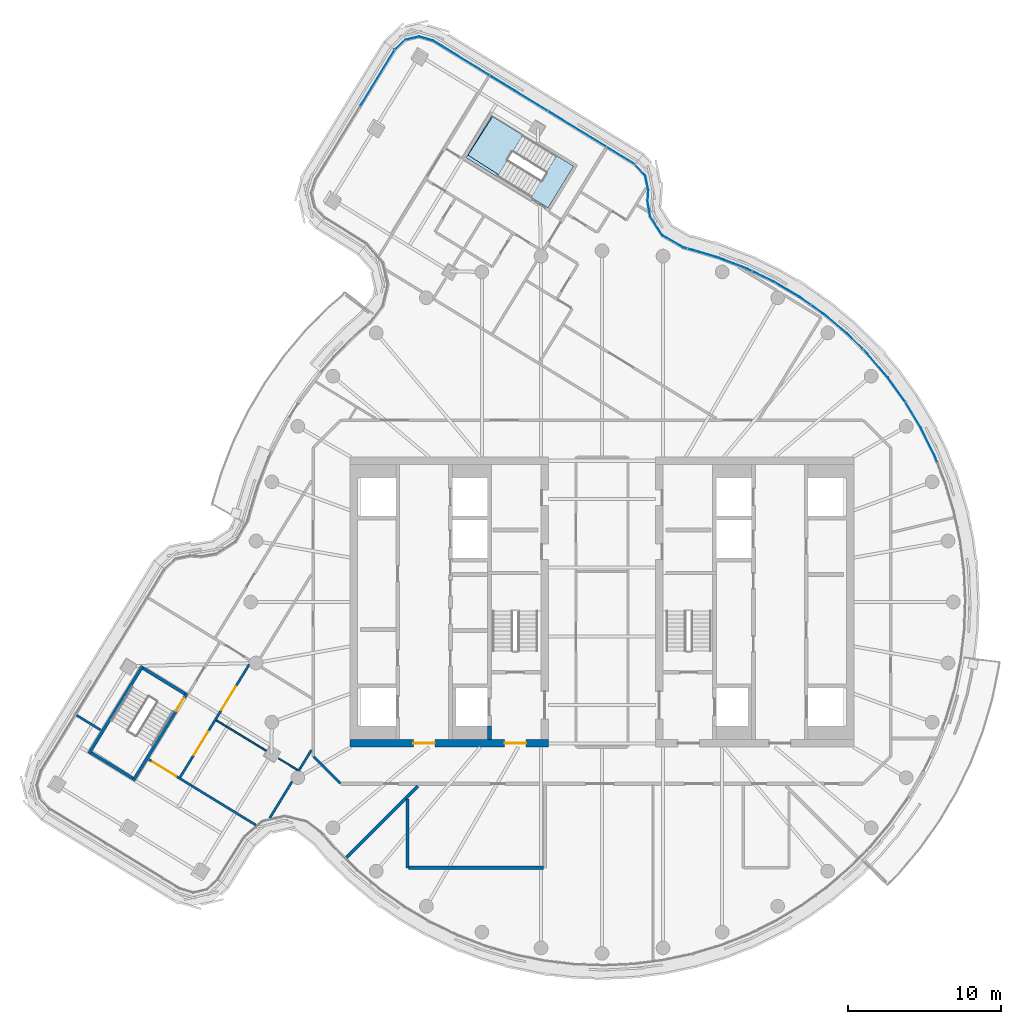
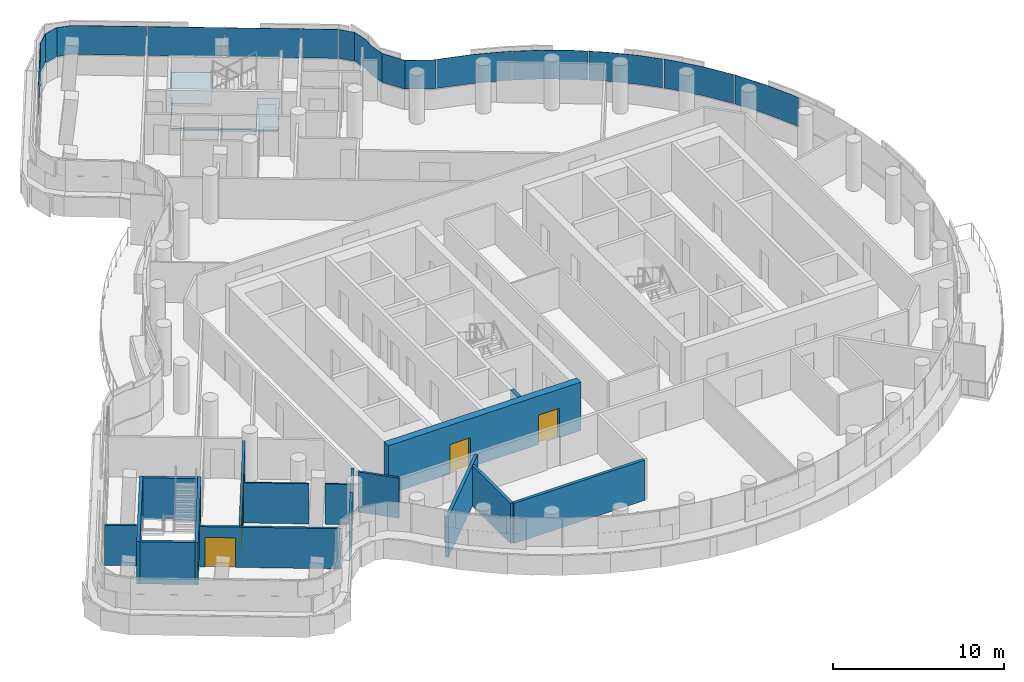
# One storey, part 16 of 27: 17 walls, 11 plates, 6 doors, 2 slabs, 6 openings, 4 elements without a shape of their own.
"""IFC4 building model written with IfcOpenShell, lengths in metres."""

from ifc_helpers import new_model, si_unit, direction, frame, frame_2d, origin, place, context, subcontext, project, spatial, polyline, rectangle, outline, extrude, material, layer, layer_set, type_object, element, fill, aggregate, save


model = new_model("IFC4")

# Units and contexts
model_context = context("Model", 3, precision=1e-05, world=origin(), true_north=direction((0.0, 1.0)))
body_context = subcontext(model_context, "Body", "Model", "MODEL_VIEW")
ifc_project = project(units=[si_unit("LENGTHUNIT", "METRE"), si_unit("AREAUNIT", "SQUARE_METRE"), si_unit("VOLUMEUNIT", "CUBIC_METRE"), si_unit("PLANEANGLEUNIT", "RADIAN"), si_unit("MASSUNIT", "GRAM", prefix="KILO")], contexts=[model_context])

# Site, building, storey
site_placement = place(None, origin())
site = spatial("IfcSite", under=ifc_project, at=site_placement, CompositionType="ELEMENT")
building_placement = place(site_placement, origin())
building = spatial("IfcBuilding", under=site, at=building_placement, Name="Tamarind Cross Interchange Tower", CompositionType="ELEMENT")
storey_placement = place(building_placement, frame((0.0, 0.0, 245.10009765625)))
storey = spatial("IfcBuildingStorey", under=building, at=storey_placement, Name="L62", CompositionType="ELEMENT", Elevation=245.10009765625)

# Slab
ifc_material_1 = material(Name="Concrete C35", Category="concrete")
ifc_layer_1 = layer(ifc_material_1, 0.139892578125)
ifc_layer_set_1 = layer_set([ifc_layer_1], Name="Concrete C35")
slab_type_1 = type_object("IfcSlabType", Name="Composite slab 140 Concrete C35", PredefinedType="FLOOR", material=ifc_layer_set_1)
slab_1_placement = place(storey_placement, frame((0.0, 0.0, -0.14013671875)))
element("IfcSlab", 1, at=slab_1_placement, inside=storey, type_object=slab_type_1, Name="Floor slab L62", PredefinedType="FLOOR", context=body_context, shape_type="SweptSolid", body=[
    extrude(outline(polyline([(-7.23291015625, 31.8251953125), (-8.904296875, 29.0966796875), (-3.5322265625, 25.8056640625), (-1.860595703125, 28.534423828125), (-2.90869140625, 29.176513671875), (-2.9794921875, 29.2197265625), (-4.5908203125, 26.58935546875), (-8.7734375, 29.2578125), (-7.162841796875, 31.782470703125), (-7.23291015625, 31.8251953125)])), origin(), (0.0, 0.0, 1.0), 0.14013671875),
])

# Stair, slab
ifc_material_2 = material(Name="Exit stair")
stair_type = type_object("IfcStairType", Name="Exit stair", PredefinedType="HALF_TURN_STAIR", material=ifc_material_2)
stair_placement = place(storey_placement, origin())
stair = element("IfcStair", 2, at=stair_placement, inside=storey, type_object=stair_type, Name="L62 exit stair ST4", PredefinedType="HALF_TURN_STAIR")
ifc_material_3 = material(Name="Concrete C40", Category="concrete")
ifc_layer_2 = layer(ifc_material_3, 0.199951171875)
ifc_layer_set_2 = layer_set([ifc_layer_2], Name="Concrete C40")
slab_type_2 = type_object("IfcSlabType", Name="Stair landing", PredefinedType="LANDING", material=ifc_layer_set_2)
slab_2_placement = place(storey_placement, frame((0.0, 0.0, 1.599853515625)))
slab_2 = element("IfcSlab", 3, at=slab_2_placement, type_object=slab_type_2, Name="ST4 landing 1", PredefinedType="LANDING", context=body_context, shape_type="SweptSolid", body=[
    extrude(outline(polyline([(-5.176025390625, 30.5654296875), (-7.23291015625, 31.8251953125), (-8.904541015625, 29.0966796875), (-6.84765625, 27.836669921875), (-5.176025390625, 30.5654296875)])), origin(), (0.0, 0.0, 1.0), 0.199951171875),
])
aggregate(stair, [slab_2])

# Curtain wall, plate
ifc_material_4 = material(Name="Aluminium 6063-T6", Category="aluminium")
ifc_layer_3 = layer(ifc_material_4, 0.139892578125)
ifc_layer_set_3 = layer_set([ifc_layer_3], Name="Aluminium 6063-T6")
curtain_wall_type = type_object("IfcCurtainWallType", Name="Hotel curtain wall, 4.5 m bays", PredefinedType="NOTDEFINED", material=ifc_layer_set_3)
curtain_wall_1_placement = place(storey_placement, origin())
curtain_wall_1 = element("IfcCurtainWall", 4, at=curtain_wall_1_placement, inside=storey, type_object=curtain_wall_type, Name="CWS-L62-00", PredefinedType="NOTDEFINED")
ifc_material_5 = material(Name="Laminated low-e glass 6+1.52+6", Category="glass")
ifc_layer_4 = layer(ifc_material_5, 0.02392578125)
ifc_layer_set_4 = layer_set([ifc_layer_4], Name="Laminated low-e glass 6+1.52+6")
plate_type = type_object("IfcPlateType", Name="Vision panel CW2", PredefinedType="CURTAIN_PANEL", material=ifc_layer_set_4)
plate_1_placement = place(storey_placement, frame((0.0, 0.0, 1.39990234375)))
plate_1 = element("IfcPlate", 5, at=plate_1_placement, type_object=plate_type, Name="CWP-L62-00-00", PredefinedType="CURTAIN_PANEL", context=body_context, shape_type="SweptSolid", body=[
    extrude(outline(polyline([(-13.58203125, 36.11767578125), (-15.82080078125, 32.46337890625), (-15.84130859375, 32.475830078125), (-13.6025390625, 36.13037109375), (-13.58203125, 36.11767578125)])), origin(), (0.0, 0.0, 1.0), 2.06005859375),
])
aggregate(curtain_wall_1, [plate_1])

# Curtain wall, plates
curtain_wall_2_placement = place(storey_placement, origin())
curtain_wall_2 = element("IfcCurtainWall", 6, at=curtain_wall_2_placement, inside=storey, type_object=curtain_wall_type, Name="CWS-L62-06", PredefinedType="NOTDEFINED")
plate_2_placement = place(storey_placement, frame((0.0, 0.0, 1.39990234375)))
plate_2 = element("IfcPlate", 7, at=plate_2_placement, type_object=plate_type, Name="CWP-L62-06-16", PredefinedType="CURTAIN_PANEL", context=body_context, shape_type="SweptSolid", body=[
    extrude(outline(polyline([(21.936279296875, 9.14892578125), (21.7392578125, 9.6474609375), (20.868408203125, 11.40966796875), (19.886962890625, 13.04052734375), (19.90771484375, 13.052978515625), (20.889404296875, 11.421142578125), (21.76123046875, 9.6572265625), (21.95849609375, 9.15771484375), (21.936279296875, 9.14892578125)])), origin(), (0.0, 0.0, 1.0), 2.06005859375),
])
plate_3_placement = place(storey_placement, frame((0.0, 0.0, 1.39990234375)))
plate_3 = element("IfcPlate", 8, at=plate_3_placement, type_object=plate_type, Name="CWP-L62-06-17", PredefinedType="CURTAIN_PANEL", context=body_context, shape_type="SweptSolid", body=[
    extrude(outline(polyline([(19.856201171875, 13.091796875), (19.854736328125, 13.093994140625), (18.705810546875, 14.68896484375), (17.4287109375, 16.183349609375), (17.09521484375, 16.51416015625), (17.112060546875, 16.53125), (17.4462890625, 16.19970703125), (18.724609375, 14.703857421875), (19.874755859375, 13.107177734375), (19.876708984375, 13.104248046875), (19.856201171875, 13.091796875)])), origin(), (0.0, 0.0, 1.0), 2.06005859375),
])
plate_4_placement = place(storey_placement, frame((0.0, 0.0, 1.39990234375)))
plate_4 = element("IfcPlate", 9, at=plate_4_placement, type_object=plate_type, Name="CWP-L62-06-18", PredefinedType="CURTAIN_PANEL", context=body_context, shape_type="SweptSolid", body=[
    extrude(outline(polyline([(17.052734375, 16.556396484375), (16.032958984375, 17.5673828125), (14.52734375, 18.83154296875), (13.708251953125, 19.410888671875), (13.72216796875, 19.4306640625), (14.5419921875, 18.850341796875), (16.049072265625, 17.585205078125), (17.069580078125, 16.573486328125), (17.052734375, 16.556396484375)])), origin(), (0.0, 0.0, 1.0), 2.06005859375),
])
plate_5_placement = place(storey_placement, frame((0.0, 0.0, 1.39990234375)))
plate_5 = element("IfcPlate", 10, at=plate_5_placement, type_object=plate_type, Name="CWP-L62-06-19", PredefinedType="CURTAIN_PANEL", context=body_context, shape_type="SweptSolid", body=[
    extrude(outline(polyline([(13.6591796875, 19.445556640625), (12.922607421875, 19.966796875), (11.229736328125, 20.9658203125), (9.845947265625, 21.634765625), (9.856201171875, 21.656494140625), (11.240966796875, 20.98681640625), (12.935791015625, 19.987060546875), (13.673095703125, 19.46533203125), (13.6591796875, 19.445556640625)])), origin(), (0.0, 0.0, 1.0), 2.06005859375),
])
plate_6_placement = place(storey_placement, frame((0.0, 0.0, 1.39990234375)))
plate_6 = element("IfcPlate", 11, at=plate_6_placement, type_object=plate_type, Name="CWP-L62-06-20", PredefinedType="CURTAIN_PANEL", context=body_context, shape_type="SweptSolid", body=[
    extrude(outline(polyline([(9.791748046875, 21.660888671875), (9.4599609375, 21.821533203125), (7.625244140625, 22.5283203125), (5.932373046875, 23.0322265625), (5.618896484375, 23.11865234375), (5.625244140625, 23.1416015625), (5.93896484375, 23.055419921875), (7.633056640625, 22.551025390625), (9.469482421875, 21.843505859375), (9.80224609375, 21.6826171875), (9.791748046875, 21.660888671875)])), origin(), (0.0, 0.0, 1.0), 2.06005859375),
])
plate_7_placement = place(storey_placement, frame((0.0, 0.0, 1.39990234375)))
plate_7 = element("IfcPlate", 12, at=plate_7_placement, type_object=plate_type, Name="CWP-L62-06-21", PredefinedType="CURTAIN_PANEL", context=body_context, shape_type="SweptSolid", body=[
    extrude(outline(polyline([(5.56103515625, 23.134521484375), (5.333740234375, 23.197021484375), (3.945556640625, 23.989501953125), (3.142578125, 25.25), (2.973876953125, 26.244873046875), (3.02392578125, 26.9462890625), (2.8251953125, 27.91650390625), (2.1708984375, 28.62158203125), (2.1884765625, 28.637939453125), (2.847412109375, 27.927734375), (3.048095703125, 26.94775390625), (2.998046875, 26.24609375), (3.16552734375, 25.2587890625), (3.962646484375, 24.007568359375), (5.343017578125, 23.219482421875), (5.5673828125, 23.15771484375), (5.56103515625, 23.134521484375)])), origin(), (0.0, 0.0, 1.0), 2.06005859375),
])
aggregate(curtain_wall_2, [plate_2, plate_3, plate_4, plate_5, plate_6, plate_7])

curtain_wall_3_placement = place(storey_placement, origin())
curtain_wall_3 = element("IfcCurtainWall", 13, at=curtain_wall_3_placement, inside=storey, type_object=curtain_wall_type, Name="CWS-L62-07", PredefinedType="NOTDEFINED")
plate_8_placement = place(storey_placement, frame((0.0, 0.0, 1.39990234375)))
plate_8 = element("IfcPlate", 14, at=plate_8_placement, type_object=plate_type, Name="CWP-L62-07-00", PredefinedType="CURTAIN_PANEL", context=body_context, shape_type="SweptSolid", body=[
    extrude(outline(polyline([(2.12744140625, 28.6572265625), (0.31396484375, 29.76806640625), (0.32666015625, 29.78857421875), (2.139892578125, 28.677490234375), (2.12744140625, 28.6572265625)])), origin(), (0.0, 0.0, 1.0), 2.06005859375),
])
plate_9_placement = place(storey_placement, frame((0.0, 0.0, 1.39990234375)))
plate_9 = element("IfcPlate", 15, at=plate_9_placement, type_object=plate_type, Name="CWP-L62-07-01", PredefinedType="CURTAIN_PANEL", context=body_context, shape_type="SweptSolid", body=[
    extrude(outline(polyline([(0.262939453125, 29.79931640625), (-3.509765625, 32.110595703125), (-3.497314453125, 32.130859375), (0.275390625, 29.81982421875), (0.262939453125, 29.79931640625)])), origin(), (0.0, 0.0, 1.0), 2.06005859375),
])
plate_10_placement = place(storey_placement, frame((0.0, 0.0, 1.39990234375)))
plate_10 = element("IfcPlate", 16, at=plate_10_placement, type_object=plate_type, Name="CWP-L62-07-02", PredefinedType="CURTAIN_PANEL", context=body_context, shape_type="SweptSolid", body=[
    extrude(outline(polyline([(-3.56103515625, 32.141845703125), (-7.333740234375, 34.453125), (-7.3212890625, 34.473388671875), (-3.54833984375, 32.162353515625), (-3.56103515625, 32.141845703125)])), origin(), (0.0, 0.0, 1.0), 2.06005859375),
])
plate_11_placement = place(storey_placement, frame((0.0, 0.0, 1.39990234375)))
plate_11 = element("IfcPlate", 17, at=plate_11_placement, type_object=plate_type, Name="CWP-L62-07-03", PredefinedType="CURTAIN_PANEL", context=body_context, shape_type="SweptSolid", body=[
    extrude(outline(polyline([(-7.385009765625, 34.484375), (-11.0703125, 36.741943359375), (-11.981689453125, 37.01171875), (-12.8779296875, 36.79638671875), (-13.546630859375, 36.16162109375), (-13.563232421875, 36.178955078125), (-12.8896484375, 36.818359375), (-11.98095703125, 37.03662109375), (-11.060302734375, 36.763916015625), (-7.372314453125, 34.5048828125), (-7.385009765625, 34.484375)])), origin(), (0.0, 0.0, 1.0), 2.06005859375),
])
aggregate(curtain_wall_3, [plate_8, plate_9, plate_10, plate_11])

# Wall, openings, doors
ifc_material_6 = material(Name="Concrete C50", Category="concrete")
ifc_layer_5 = layer(ifc_material_6, 0.5)
ifc_layer_set_5 = layer_set([ifc_layer_5], Name="Concrete C50")
wall_type_1 = type_object("IfcWallType", Name="Core wall 500 mm Concrete C50", PredefinedType="SHEAR", material=ifc_layer_set_5)
wall_1_placement = place(storey_placement, frame((-16.5, -9.25, 0.0), z_axis=(0.0, 0.0, 1.0), x_axis=(1.0, 0.0, 0.0)))
wall_1 = element("IfcWall", 18, at=wall_1_placement, inside=storey, type_object=wall_type_1, Name="Core wall CWL-L62-W-S", PredefinedType="SHEAR", context=body_context, shape_type="SweptSolid", body=[
    extrude(rectangle(XDim=13.0, YDim=0.5, at=frame_2d((6.5, 0.0))), origin(), (0.0, 0.0, 1.0), 3.4599609375),
])
opening_1_placement = place(wall_1_placement, frame((4.14990234375, 0.0, 0.0)))
opening_1 = element("IfcOpeningElement", 19, at=opening_1_placement, cuts=wall_1, Name="Opening DCW1", PredefinedType="OPENING", context=body_context, shape_type="SweptSolid", body=[
    extrude(rectangle(XDim=1.39990234375, YDim=2.10009765625, at=frame_2d((0.699951171875, 1.050048828125))), frame((0.0, 0.260009765625, 0.0), z_axis=(0.0, -1.0, 0.0), x_axis=(1.0, 0.0, 0.0)), (0.0, 0.0, 1.0), 0.52001953125),
])
opening_2_placement = place(wall_1_placement, frame((10.125, 0.0, 0.0)))
opening_2 = element("IfcOpeningElement", 20, at=opening_2_placement, cuts=wall_1, Name="Opening DCWF", PredefinedType="OPENING", context=body_context, shape_type="SweptSolid", body=[
    extrude(rectangle(XDim=1.39990234375, YDim=2.10009765625, at=frame_2d((0.699951171875, 1.050048828125))), frame((0.0, 0.260009765625, 0.0), z_axis=(0.0, -1.0, 0.0), x_axis=(1.0, 0.0, 0.0)), (0.0, 0.0, 1.0), 0.52001953125),
])
ifc_material_7 = material(Name="Steel, fire-resisting", Category="steel")
door_type_1 = type_object("IfcDoorType", Name="Core fire door 1400 x 2100 FD90", OperationType="SINGLE_SWING_LEFT", PredefinedType="DOOR", material=ifc_material_7)
door_1_placement = place(opening_1_placement, origin())
door_1 = element("IfcDoor", 21, at=door_1_placement, inside=storey, type_object=door_type_1, Name="L62 lift lobby door", OperationType="SINGLE_SWING_LEFT", OverallHeight=2.10009765625, OverallWidth=1.39990234375, PredefinedType="DOOR", context=body_context, shape_type="SweptSolid", body=[
    extrude(rectangle(XDim=1.39990234375, YDim=2.10009765625, at=frame_2d((0.699951171875, 1.050048828125))), frame((0.0, 0.02490234375, 0.0), z_axis=(0.0, -1.0, 0.0), x_axis=(1.0, 0.0, 0.0)), (0.0, 0.0, 1.0), 0.050048828125),
])
fill(opening_1, door_1)
door_2_placement = place(opening_2_placement, origin())
door_2 = element("IfcDoor", 22, at=door_2_placement, inside=storey, type_object=door_type_1, Name="L62 firefighting lobby end door", OperationType="SINGLE_SWING_LEFT", OverallHeight=2.10009765625, OverallWidth=1.39990234375, PredefinedType="DOOR", context=body_context, shape_type="SweptSolid", body=[
    extrude(rectangle(XDim=1.39990234375, YDim=2.10009765625, at=frame_2d((0.699951171875, 1.050048828125))), frame((0.0, 0.02490234375, 0.0), z_axis=(0.0, -1.0, 0.0), x_axis=(1.0, 0.0, 0.0)), (0.0, 0.0, 1.0), 0.050048828125),
])
fill(opening_2, door_2)

# Walls
ifc_layer_6 = layer(ifc_material_6, 0.25)
ifc_layer_set_6 = layer_set([ifc_layer_6], Name="Concrete C50")
wall_type_2 = type_object("IfcWallType", Name="Core web wall 250 mm Concrete C50", PredefinedType="SHEAR", material=ifc_layer_set_6)
wall_2_placement = place(storey_placement, frame((-7.375, -9.0, 0.0), z_axis=(0.0, 0.0, 1.0), x_axis=(0.0, 1.0, 0.0)))
element("IfcWall", 23, at=wall_2_placement, inside=storey, type_object=wall_type_2, Name="Core wall CWL-L62-W-BW", PredefinedType="SHEAR", context=body_context, shape_type="SweptSolid", body=[
    extrude(rectangle(XDim=0.875, YDim=0.25, at=frame_2d((0.4375, 0.0))), origin(), (0.0, 0.0, 1.0), 3.4599609375),
])
ifc_material_8 = material(Name="Gypsum board partition on steel studs", Category="steel")
ifc_layer_7 = layer(ifc_material_8, 0.10009765625)
ifc_layer_set_7 = layer_set([ifc_layer_7], Name="Gypsum board partition on steel studs")
wall_type_3 = type_object("IfcWallType", Name="Partition 100 mm EI 90", PredefinedType="PARTITIONING", material=ifc_layer_set_7)
wall_3_placement = place(storey_placement, frame((-25.248046875, -7.7431640625, 0.0), z_axis=(0.0, 0.0, 1.0), x_axis=(0.852641647662, -0.522496144169, 0.0)))
element("IfcWall", 24, at=wall_3_placement, inside=storey, type_object=wall_type_3, Name="Partition L62-016", PredefinedType="PARTITIONING", context=body_context, shape_type="SweptSolid", body=[
    extrude(rectangle(XDim=3.82177734375, YDim=0.10009765625, at=frame_2d((1.910888671875, 0.0))), origin(), (0.0, 0.0, 1.0), 2.864013671875),
])
wall_4_placement = place(storey_placement, frame((-21.177001953125, -10.23779296875, 0.0), z_axis=(0.0, 0.0, 1.0), x_axis=(0.852622654042, -0.522527137874, 0.0)))
element("IfcWall", 25, at=wall_4_placement, inside=storey, type_object=wall_type_3, Name="Partition L62-017", PredefinedType="PARTITIONING", context=body_context, shape_type="SweptSolid", body=[
    extrude(rectangle(XDim=1.4755859375, YDim=0.10009765625, at=frame_2d((0.73779296875, 0.0))), origin(), (0.0, 0.0, 1.0), 2.864013671875),
])
ifc_layer_8 = layer(ifc_material_8, 0.14990234375)
ifc_layer_set_8 = layer_set([ifc_layer_8], Name="Gypsum board partition on steel studs")
wall_type_4 = type_object("IfcWallType", Name="Partition 150 mm EI 120", PredefinedType="PARTITIONING", material=ifc_layer_set_8)
wall_5_placement = place(storey_placement, frame((-18.87158203125, -10.12841796875, 0.0), z_axis=(0.0, 0.0, 1.0), x_axis=(0.707106781187, -0.707106781187, 0.0)))
element("IfcWall", 26, at=wall_5_placement, inside=storey, type_object=wall_type_4, Name="Partition L62-001", PredefinedType="PARTITIONING", context=body_context, shape_type="SweptSolid", body=[
    extrude(rectangle(XDim=2.455078125, YDim=0.14990234375, at=frame_2d((1.2275390625, 0.0))), origin(), (0.0, 0.0, 1.0), 2.864013671875),
])
wall_6_placement = place(storey_placement, frame((-34.398681640625, -7.415771484375, 0.0), z_axis=(0.0, 0.0, 1.0), x_axis=(0.852752221209, -0.522315660519, 0.0)))
element("IfcWall", 27, at=wall_6_placement, inside=storey, type_object=wall_type_4, Name="Partition L62-014", PredefinedType="PARTITIONING", context=body_context, shape_type="SweptSolid", body=[
    extrude(rectangle(XDim=1.85888671875, YDim=0.14990234375, at=frame_2d((0.929443359375, 0.0))), origin(), (0.0, 0.0, 1.0), 2.864013671875),
])

# Wall, opening, door
wall_7_placement = place(storey_placement, frame((-29.675537109375, -10.30859375, 0.0), z_axis=(0.0, 0.0, 1.0), x_axis=(0.852748796972, -0.522321251016, 0.0)))
wall_7 = element("IfcWall", 28, at=wall_7_placement, inside=storey, type_object=wall_type_4, Name="Partition L62-015", PredefinedType="PARTITIONING", context=body_context, shape_type="SweptSolid", body=[
    extrude(rectangle(XDim=8.2265625, YDim=0.14990234375, at=frame_2d((4.11328125, 0.0))), origin(), (0.0, 0.0, 1.0), 2.864013671875),
])
opening_3_placement = place(wall_7_placement, frame((0.300048828125, 0.0, 0.0)))
opening_3 = element("IfcOpeningElement", 29, at=opening_3_placement, cuts=wall_7, Name="Opening D07", PredefinedType="OPENING", context=body_context, shape_type="SweptSolid", body=[
    extrude(rectangle(XDim=1.800048828125, YDim=2.10009765625, at=frame_2d((0.89990234375, 1.050048828125))), frame((0.0, 0.0849609375, 0.0), z_axis=(0.0, -1.0, 0.0), x_axis=(1.0, 0.0, 0.0)), (0.0, 0.0, 1.0), 0.169921875),
])
ifc_material_9 = material(Name="Fire-resisting door set")
door_type_2 = type_object("IfcDoorType", Name="Interior door 1800 x 2100 FD60S", OperationType="DOUBLE_DOOR_SINGLE_SWING", PredefinedType="DOOR", material=ifc_material_9)
door_3_placement = place(opening_3_placement, frame((1.800048828125, 0.0, 0.0), z_axis=(0.0, 0.0, 1.0), x_axis=(-1.0, 0.0, 0.0)))
door_3 = element("IfcDoor", 30, at=door_3_placement, inside=storey, type_object=door_type_2, Name="Door D07", OperationType="DOUBLE_DOOR_SINGLE_SWING", OverallHeight=2.10009765625, OverallWidth=1.800048828125, PredefinedType="DOOR", context=body_context, shape_type="SweptSolid", body=[
    extrude(rectangle(XDim=1.800048828125, YDim=2.10009765625, at=frame_2d((0.89990234375, 1.050048828125))), frame((0.0, 0.02490234375, 0.0), z_axis=(0.0, -1.0, 0.0), x_axis=(1.0, 0.0, 0.0)), (0.0, 0.0, 1.0), 0.050048828125),
])
fill(opening_3, door_3)

# Walls
wall_8_placement = place(storey_placement, frame((-21.7578125, -14.152587890625, 0.0), z_axis=(0.0, 0.0, 1.0), x_axis=(0.522549830929, 0.852608746258, 0.0)))
element("IfcWall", 31, at=wall_8_placement, inside=storey, type_object=wall_type_4, Name="Partition L62-037", PredefinedType="PARTITIONING", context=body_context, shape_type="SweptSolid", body=[
    extrude(rectangle(XDim=2.809326171875, YDim=0.14990234375, at=frame_2d((1.40478515625, 0.0))), origin(), (0.0, 0.0, 1.0), 2.864013671875),
])
wall_9_placement = place(storey_placement, frame((-19.85986328125, -11.055908203125, 0.0), z_axis=(0.0, 0.0, 1.0), x_axis=(0.522579863892, 0.852590338823, 0.0)))
element("IfcWall", 32, at=wall_9_placement, inside=storey, type_object=wall_type_4, Name="Partition L62-038", PredefinedType="PARTITIONING", context=body_context, shape_type="SweptSolid", body=[
    extrude(rectangle(XDim=1.607666015625, YDim=0.14990234375, at=frame_2d((0.8037109375, 0.0))), origin(), (0.0, 0.0, 1.0), 2.864013671875),
])

# Wall, openings, doors
wall_10_placement = place(storey_placement, frame((-27.62109375, -11.473876953125, 0.0), z_axis=(0.0, 0.0, 1.0), x_axis=(0.522331772483, 0.852742352329, 0.0)))
wall_10 = element("IfcWall", 33, at=wall_10_placement, inside=storey, type_object=wall_type_4, Name="Partition L62-051", PredefinedType="PARTITIONING", context=body_context, shape_type="SweptSolid", body=[
    extrude(rectangle(XDim=8.677001953125, YDim=0.14990234375, at=frame_2d((4.33837890625, 0.0))), origin(), (0.0, 0.0, 1.0), 2.864013671875),
])
opening_4_placement = place(wall_10_placement, frame((5.1708984375, 0.0, 0.0)))
opening_4 = element("IfcOpeningElement", 34, at=opening_4_placement, cuts=wall_10, Name="Opening D24", PredefinedType="OPENING", context=body_context, shape_type="SweptSolid", body=[
    extrude(rectangle(XDim=1.800048828125, YDim=2.10009765625, at=frame_2d((0.89990234375, 1.050048828125))), frame((0.0, 0.0849609375, 0.0), z_axis=(0.0, -1.0, 0.0), x_axis=(1.0, 0.0, 0.0)), (0.0, 0.0, 1.0), 0.169921875),
])
opening_5_placement = place(wall_10_placement, frame((1.719970703125, 0.0, 0.0)))
opening_5 = element("IfcOpeningElement", 35, at=opening_5_placement, cuts=wall_10, Name="Opening D25", PredefinedType="OPENING", context=body_context, shape_type="SweptSolid", body=[
    extrude(rectangle(XDim=1.800048828125, YDim=2.10009765625, at=frame_2d((0.89990234375, 1.050048828125))), frame((0.0, 0.0849609375, 0.0), z_axis=(0.0, -1.0, 0.0), x_axis=(1.0, 0.0, 0.0)), (0.0, 0.0, 1.0), 0.169921875),
])
door_4_placement = place(opening_4_placement, frame((1.800048828125, 0.0, 0.0), z_axis=(0.0, 0.0, 1.0), x_axis=(-1.0, 0.0, 0.0)))
door_4 = element("IfcDoor", 36, at=door_4_placement, inside=storey, type_object=door_type_2, Name="Door D24", OperationType="DOUBLE_DOOR_SINGLE_SWING", OverallHeight=2.10009765625, OverallWidth=1.800048828125, PredefinedType="DOOR", context=body_context, shape_type="SweptSolid", body=[
    extrude(rectangle(XDim=1.800048828125, YDim=2.10009765625, at=frame_2d((0.89990234375, 1.050048828125))), frame((0.0, 0.02490234375, 0.0), z_axis=(0.0, -1.0, 0.0), x_axis=(1.0, 0.0, 0.0)), (0.0, 0.0, 1.0), 0.050048828125),
])
fill(opening_4, door_4)
door_5_placement = place(opening_5_placement, frame((1.800048828125, 0.0, 0.0), z_axis=(0.0, 0.0, 1.0), x_axis=(-1.0, 0.0, 0.0)))
door_5 = element("IfcDoor", 37, at=door_5_placement, inside=storey, type_object=door_type_2, Name="Door D25", OperationType="DOUBLE_DOOR_SINGLE_SWING", OverallHeight=2.10009765625, OverallWidth=1.800048828125, PredefinedType="DOOR", context=body_context, shape_type="SweptSolid", body=[
    extrude(rectangle(XDim=1.800048828125, YDim=2.10009765625, at=frame_2d((0.89990234375, 1.050048828125))), frame((0.0, 0.02490234375, 0.0), z_axis=(0.0, -1.0, 0.0), x_axis=(1.0, 0.0, 0.0)), (0.0, 0.0, 1.0), 0.050048828125),
])
fill(opening_5, door_5)

# Walls
ifc_layer_9 = layer(ifc_material_8, 0.199951171875)
ifc_layer_set_9 = layer_set([ifc_layer_9], Name="Gypsum board partition on steel studs")
wall_type_5 = type_object("IfcWallType", Name="Partition 200 mm EI 180", PredefinedType="PARTITIONING", material=ifc_layer_set_9)
wall_11_placement = place(storey_placement, frame((-12.660888671875, -17.39990234375, 0.0), z_axis=(0.0, 0.0, 1.0), x_axis=(1.0, 0.0, 0.0)))
element("IfcWall", 38, at=wall_11_placement, inside=storey, type_object=wall_type_5, Name="Partition L62-027", PredefinedType="PARTITIONING", context=body_context, shape_type="SweptSolid", body=[
    extrude(rectangle(XDim=8.8349609375, YDim=0.199951171875, at=frame_2d((4.41748046875, 0.0))), origin(), (0.0, 0.0, 1.0), 2.864013671875),
])
wall_12_placement = place(storey_placement, frame((-16.740478515625, -16.740478515625, 0.0), z_axis=(0.0, 0.0, 1.0), x_axis=(0.707106781187, 0.707106781187, 0.0)))
element("IfcWall", 39, at=wall_12_placement, inside=storey, type_object=wall_type_5, Name="Partition L62-035", PredefinedType="PARTITIONING", context=body_context, shape_type="SweptSolid", body=[
    extrude(rectangle(XDim=6.630615234375, YDim=0.199951171875, at=frame_2d((3.3154296875, 0.0))), origin(), (0.0, 0.0, 1.0), 2.864013671875),
])
wall_13_placement = place(storey_placement, frame((-12.740966796875, -17.39990234375, 0.0), z_axis=(0.0, 0.0, 1.0), x_axis=(0.0, 1.0, 0.0)))
element("IfcWall", 40, at=wall_13_placement, inside=storey, type_object=wall_type_5, Name="Partition L62-057", PredefinedType="PARTITIONING", context=body_context, shape_type="SweptSolid", body=[
    extrude(rectangle(XDim=4.4990234375, YDim=0.199951171875, at=frame_2d((2.24951171875, 0.0))), origin(), (0.0, 0.0, 1.0), 2.864013671875),
])

# Wall, opening, door
ifc_layer_10 = layer(ifc_material_3, 0.199951171875)
ifc_layer_set_10 = layer_set([ifc_layer_10], Name="Concrete C40")
wall_type_6 = type_object("IfcWallType", Name="Stair shaft wall 200 mm Concrete C40", PredefinedType="SHEAR", material=ifc_layer_set_10)
wall_14_placement = place(storey_placement, frame((-27.18310546875, -5.97216796875, -0.14013671875), z_axis=(0.0, 0.0, 1.0), x_axis=(-0.522362094183, -0.852723778583, 0.0)))
wall_14 = element("IfcWall", 41, at=wall_14_placement, inside=storey, type_object=wall_type_6, Name="Core wall CWL-L62-ST5-H", PredefinedType="SHEAR", context=body_context, shape_type="SweptSolid", body=[
    extrude(rectangle(XDim=6.699951171875, YDim=0.199951171875, at=frame_2d((3.35009765625, 0.0))), origin(), (0.0, 0.0, 1.0), 3.004150390625),
])
opening_6_placement = place(wall_14_placement, frame((0.35009765625, 0.0, 0.0)))
opening_6 = element("IfcOpeningElement", 42, at=opening_6_placement, cuts=wall_14, Name="Opening ST5L62", PredefinedType="OPENING", context=body_context, shape_type="SweptSolid", body=[
    extrude(rectangle(XDim=1.0, YDim=2.10009765625, at=frame_2d((0.5, 1.050048828125))), frame((0.0, 0.10986328125, 0.0), z_axis=(0.0, -1.0, 0.0), x_axis=(1.0, 0.0, 0.0)), (0.0, 0.0, 1.0), 0.219970703125),
])
door_type_3 = type_object("IfcDoorType", Name="Core fire door 1000 x 2100 FD90", OperationType="SINGLE_SWING_LEFT", PredefinedType="DOOR", material=ifc_material_7)
door_6_placement = place(opening_6_placement, origin())
door_6 = element("IfcDoor", 43, at=door_6_placement, inside=storey, type_object=door_type_3, Name="L62 stair door ST5", OperationType="SINGLE_SWING_LEFT", OverallHeight=2.10009765625, OverallWidth=1.0, PredefinedType="DOOR", context=body_context, shape_type="SweptSolid", body=[
    extrude(rectangle(XDim=1.0, YDim=2.10009765625, at=frame_2d((0.5, 1.050048828125))), frame((0.0, 0.02490234375, 0.0), z_axis=(0.0, -1.0, 0.0), x_axis=(1.0, 0.0, 0.0)), (0.0, 0.0, 1.0), 0.050048828125),
])
fill(opening_6, door_6)

# Walls
wall_15_placement = place(storey_placement, frame((-30.082275390625, -4.196044921875, -0.14013671875), z_axis=(0.0, 0.0, 1.0), x_axis=(-0.522362094183, -0.852723778583, 0.0)))
element("IfcWall", 44, at=wall_15_placement, inside=storey, type_object=wall_type_6, Name="Core wall CWL-L62-ST5-C", PredefinedType="SHEAR", context=body_context, shape_type="SweptSolid", body=[
    extrude(rectangle(XDim=6.699951171875, YDim=0.199951171875, at=frame_2d((3.35009765625, 0.0))), origin(), (0.0, 0.0, 1.0), 3.004150390625),
])
wall_16_placement = place(storey_placement, frame((-30.04931640625, -4.33349609375, -0.14013671875), z_axis=(0.0, 0.0, 1.0), x_axis=(0.852717458559, -0.52237241109, 0.0)))
element("IfcWall", 45, at=wall_16_placement, inside=storey, type_object=wall_type_6, Name="Core wall CWL-L62-ST5-CE", PredefinedType="SHEAR", context=body_context, shape_type="SweptSolid", body=[
    extrude(rectangle(XDim=3.2001953125, YDim=0.199951171875, at=frame_2d((1.60009765625, 0.0))), origin(), (0.0, 0.0, 1.0), 3.004150390625),
])
wall_17_placement = place(storey_placement, frame((0.0, 0.0, -0.14013671875)))
element("IfcWall", 46, at=wall_17_placement, inside=storey, type_object=wall_type_6, Name="Core wall CWL-L62-ST5-CF", PredefinedType="SHEAR", context=body_context, shape_type="SweptSolid", body=[
    extrude(outline(polyline([(-33.392333984375, -9.791015625), (-33.496826171875, -9.961669921875), (-30.76806640625, -11.633056640625), (-30.663818359375, -11.462646484375), (-33.392333984375, -9.791015625)])), origin(), (0.0, 0.0, 1.0), 3.004150390625),
])

save(model, "model.ifc")
